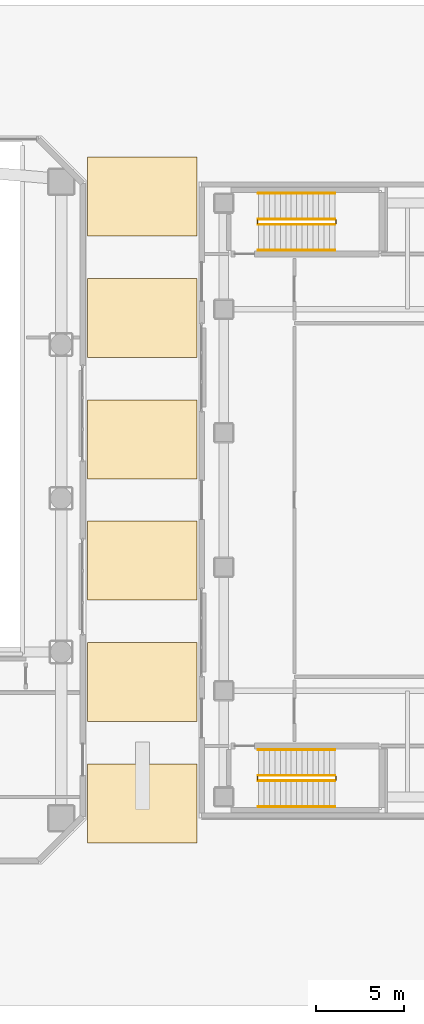
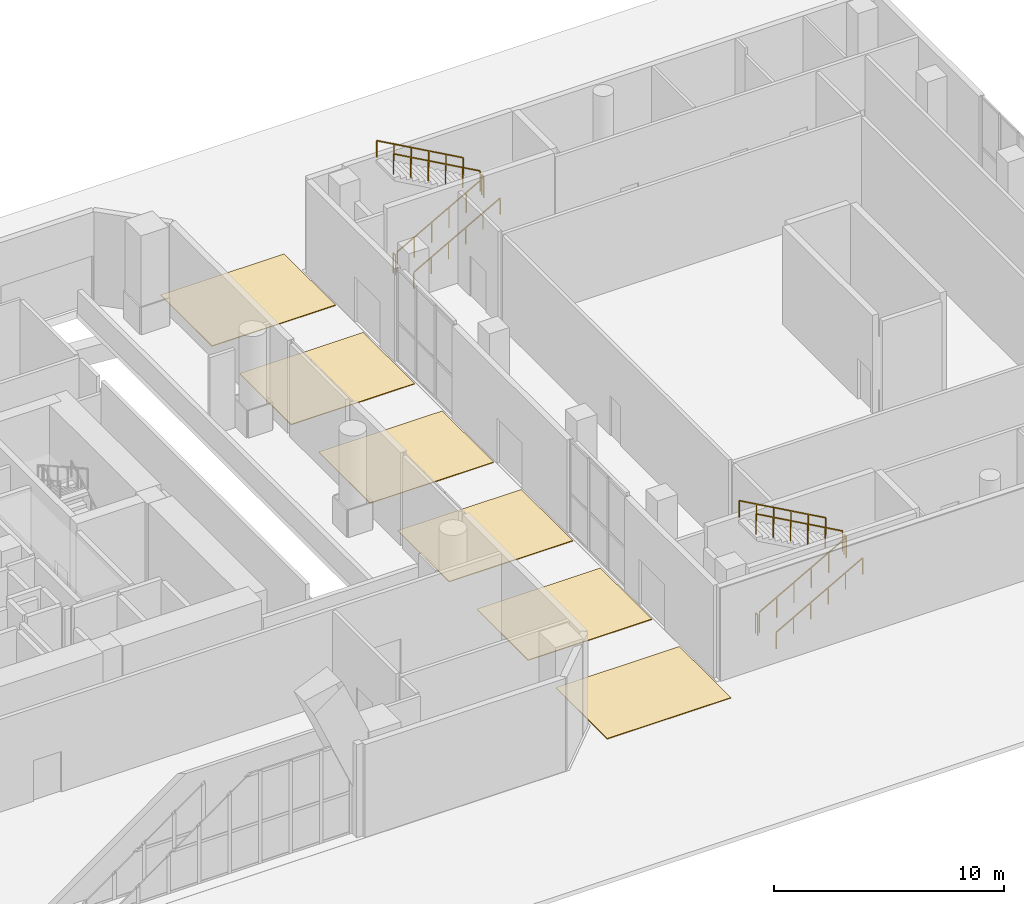
# One storey, part 28 of 30: 12 railings, 6 coverings.
"""IFC4 building model written with IfcOpenShell, lengths in metres."""

from ifc_helpers import new_model, si_unit, direction, frame, origin, origin_2d, place, context, subcontext, project, spatial, polyline, rectangle, outline, extrude, material, layer, layer_set, type_object, element, save


model = new_model("IFC4")

# Units and contexts
model_context = context("Model", 3, precision=1e-05, world=origin(), true_north=direction((0.0, 1.0)))
body_context = subcontext(model_context, "Body", "Model", "MODEL_VIEW")
ifc_project = project(units=[si_unit("LENGTHUNIT", "METRE"), si_unit("AREAUNIT", "SQUARE_METRE"), si_unit("VOLUMEUNIT", "CUBIC_METRE"), si_unit("PLANEANGLEUNIT", "RADIAN"), si_unit("MASSUNIT", "GRAM", prefix="KILO")], contexts=[model_context])

# Site, building, storey
site_placement = place(None, origin())
site = spatial("IfcSite", under=ifc_project, at=site_placement, CompositionType="ELEMENT")
building_placement = place(site_placement, origin())
building = spatial("IfcBuilding", under=site, at=building_placement, Name="Solanera Arch Residences", CompositionType="ELEMENT")
storey_placement = place(building_placement, origin())
storey = spatial("IfcBuildingStorey", under=building, at=storey_placement, Name="L00", CompositionType="ELEMENT", Elevation=0.0)

# Coverings
ifc_material_1 = material(Name="Concrete C40/50 (f'c = 45 MPa)", Category="concrete")
ifc_layer = layer(ifc_material_1, 0.0400390625)
ifc_layer_set = layer_set([ifc_layer], Name="Concrete C40/50 (f'c = 45 MPa)")
covering_type = type_object("IfcCoveringType", Name="Outdoor Paseo Stone Paving PAV-150", PredefinedType="FLOORING", material=ifc_layer_set)
covering_1_placement = place(storey_placement, origin())
element("IfcCovering", 1, at=covering_1_placement, inside=storey, type_object=covering_type, Name="Ground Paseo Landscaped Stone Paving Bay 1", PredefinedType="FLOORING", context=body_context, shape_type="SweptSolid", body=[
    extrude(outline(polyline([(48.10009765625, 11.199951171875), (54.300048828125, 11.199951171875), (54.300048828125, 15.6669921875), (48.10009765625, 15.6669921875), (48.10009765625, 11.199951171875)])), origin(), (0.0, 0.0, 1.0), 0.0400390625),
])
covering_2_placement = place(storey_placement, origin())
element("IfcCovering", 2, at=covering_2_placement, inside=storey, type_object=covering_type, Name="Ground Paseo Landscaped Stone Paving Bay 2", PredefinedType="FLOORING", context=body_context, shape_type="SweptSolid", body=[
    extrude(outline(polyline([(48.10009765625, 18.06689453125), (54.300048828125, 18.06689453125), (54.300048828125, 22.532958984375), (48.10009765625, 22.532958984375), (48.10009765625, 18.06689453125)])), origin(), (0.0, 0.0, 1.0), 0.0400390625),
])
covering_3_placement = place(storey_placement, origin())
element("IfcCovering", 3, at=covering_3_placement, inside=storey, type_object=covering_type, Name="Ground Paseo Landscaped Stone Paving Bay 3", PredefinedType="FLOORING", context=body_context, shape_type="SweptSolid", body=[
    extrude(outline(polyline([(48.10009765625, 24.93310546875), (54.300048828125, 24.93310546875), (54.300048828125, 29.39990234375), (48.10009765625, 29.39990234375), (48.10009765625, 24.93310546875)])), origin(), (0.0, 0.0, 1.0), 0.0400390625),
])
covering_4_placement = place(storey_placement, origin())
element("IfcCovering", 4, at=covering_4_placement, inside=storey, type_object=covering_type, Name="Ground Paseo Landscaped Stone Paving Bay 4", PredefinedType="FLOORING", context=body_context, shape_type="SweptSolid", body=[
    extrude(outline(polyline([(48.10009765625, 31.800048828125), (54.300048828125, 31.800048828125), (54.300048828125, 36.26708984375), (48.10009765625, 36.26708984375), (48.10009765625, 31.800048828125)])), origin(), (0.0, 0.0, 1.0), 0.0400390625),
])
covering_5_placement = place(storey_placement, origin())
element("IfcCovering", 5, at=covering_5_placement, inside=storey, type_object=covering_type, Name="Ground Paseo Landscaped Stone Paving Bay 5", PredefinedType="FLOORING", context=body_context, shape_type="SweptSolid", body=[
    extrude(outline(polyline([(48.10009765625, 38.6669921875), (54.300048828125, 38.6669921875), (54.300048828125, 43.133056640625), (48.10009765625, 43.133056640625), (48.10009765625, 38.6669921875)])), origin(), (0.0, 0.0, 1.0), 0.0400390625),
])
covering_6_placement = place(storey_placement, origin())
element("IfcCovering", 6, at=covering_6_placement, inside=storey, type_object=covering_type, Name="Ground Paseo Landscaped Stone Paving Bay 6", PredefinedType="FLOORING", context=body_context, shape_type="SweptSolid", body=[
    extrude(outline(polyline([(48.10009765625, 45.532958984375), (54.300048828125, 45.532958984375), (54.300048828125, 50.0), (48.10009765625, 50.0), (48.10009765625, 45.532958984375)])), origin(), (0.0, 0.0, 1.0), 0.0400390625),
])

# Railings
ifc_material_2 = material(Name="Steel S355 (ASTM A992 / A572 Grade 50)", Category="steel")
railing_type_1 = type_object("IfcRailingType", Name="Stair Guardrail GR-1100", PredefinedType="GUARDRAIL", material=ifc_material_2)
railing_1_placement = place(storey_placement, frame((57.760009765625, 14.7099609375, 0.158203125)))
element("IfcRailing", 7, at=railing_1_placement, inside=storey, type_object=railing_type_1, Name="L00 ST-H1 stair guard 1", PredefinedType="GUARDRAIL", context=body_context, shape_type="SweptSolid", body=[
    extrude(rectangle(XDim=0.048095703125, YDim=0.048095703125, at=origin_2d()), frame((0.0, 0.0, 1.076171875), z_axis=(0.872822311302, 0.0, 0.488038126475), x_axis=(0.0, 1.0, 0.0)), (0.0, 0.0, 1.0), 4.972412109375),
    extrude(rectangle(XDim=0.0419921875, YDim=0.0419921875, at=origin_2d()), origin(), (0.0, 0.0, 1.0), 1.052001953125),
    extrude(rectangle(XDim=0.0419921875, YDim=0.0419921875, at=origin_2d()), frame((0.867919921875, 0.0, 0.4853515625)), (0.0, 0.0, 1.0), 1.052001953125),
    extrude(rectangle(XDim=0.0419921875, YDim=0.0419921875, at=origin_2d()), frame((1.736083984375, 0.0, 0.970703125)), (0.0, 0.0, 1.0), 1.052001953125),
    extrude(rectangle(XDim=0.0419921875, YDim=0.0419921875, at=origin_2d()), frame((2.60400390625, 0.0, 1.4560546875)), (0.0, 0.0, 1.0), 1.052001953125),
    extrude(rectangle(XDim=0.0419921875, YDim=0.0419921875, at=origin_2d()), frame((3.47216796875, 0.0, 1.94140625)), (0.0, 0.0, 1.0), 1.052001953125),
    extrude(rectangle(XDim=0.0419921875, YDim=0.0419921875, at=origin_2d()), frame((4.340087890625, 0.0, 2.4267578125)), (0.0, 0.0, 1.0), 1.052001953125),
])
railing_2_placement = place(storey_placement, frame((62.14990234375, 14.760009765625, 2.5849609375)))
element("IfcRailing", 8, at=railing_2_placement, inside=storey, type_object=railing_type_1, Name="L00 ST-H1 stair guard 2", PredefinedType="GUARDRAIL", context=body_context, shape_type="SweptSolid", body=[
    extrude(rectangle(XDim=0.048095703125, YDim=0.048095703125, at=origin_2d()), frame((0.0, 0.0, 1.076171875), z_axis=(0.0, 1.0, 0.0), x_axis=(-1.0, 0.0, 0.0)), (0.0, 0.0, 1.0), 0.199951171875),
    extrude(rectangle(XDim=0.0419921875, YDim=0.0419921875, at=origin_2d()), origin(), (0.0, 0.0, 1.0), 1.052001953125),
    extrude(rectangle(XDim=0.0419921875, YDim=0.0419921875, at=origin_2d()), frame((0.0, 0.199951171875, 0.0)), (0.0, 0.0, 1.0), 1.052001953125),
])
railing_3_placement = place(storey_placement, frame((62.10009765625, 15.010009765625, 2.75830078125)))
element("IfcRailing", 9, at=railing_3_placement, inside=storey, type_object=railing_type_1, Name="L00 ST-H1 stair guard 3", PredefinedType="GUARDRAIL", context=body_context, shape_type="SweptSolid", body=[
    extrude(rectangle(XDim=0.048095703125, YDim=0.048095703125, at=origin_2d()), frame((0.0, 0.0, 1.076171875), z_axis=(-0.872822311302, 0.0, 0.488038126475), x_axis=(0.0, -1.0, 0.0)), (0.0, 0.0, 1.0), 4.972412109375),
    extrude(rectangle(XDim=0.0419921875, YDim=0.0419921875, at=origin_2d()), origin(), (0.0, 0.0, 1.0), 1.052001953125),
    extrude(rectangle(XDim=0.0419921875, YDim=0.0419921875, at=origin_2d()), frame((-0.867919921875, 0.0, 0.4853515625)), (0.0, 0.0, 1.0), 1.052001953125),
    extrude(rectangle(XDim=0.0419921875, YDim=0.0419921875, at=origin_2d()), frame((-1.736083984375, 0.0, 0.970703125)), (0.0, 0.0, 1.0), 1.052001953125),
    extrude(rectangle(XDim=0.0419921875, YDim=0.0419921875, at=origin_2d()), frame((-2.60400390625, 0.0, 1.4560546875)), (0.0, 0.0, 1.0), 1.052001953125),
    extrude(rectangle(XDim=0.0419921875, YDim=0.0419921875, at=origin_2d()), frame((-3.47216796875, 0.0, 1.94140625)), (0.0, 0.0, 1.0), 1.052001953125),
    extrude(rectangle(XDim=0.0419921875, YDim=0.0419921875, at=origin_2d()), frame((-4.340087890625, 0.0, 2.4267578125)), (0.0, 0.0, 1.0), 1.052001953125),
])
railing_4_placement = place(storey_placement, frame((57.7099609375, 14.760009765625, -0.014892578125)))
element("IfcRailing", 10, at=railing_4_placement, inside=storey, type_object=railing_type_1, Name="L00 ST-H1 stair guard 4", PredefinedType="GUARDRAIL", context=body_context, shape_type="SweptSolid", body=[
    extrude(rectangle(XDim=0.048095703125, YDim=0.048095703125, at=origin_2d()), frame((0.0, 0.0, 1.076171875), z_axis=(0.0, 1.0, 0.0), x_axis=(-1.0, 0.0, 0.0)), (0.0, 0.0, 1.0), 0.199951171875),
    extrude(rectangle(XDim=0.0419921875, YDim=0.0419921875, at=origin_2d()), origin(), (0.0, 0.0, 1.0), 1.052001953125),
    extrude(rectangle(XDim=0.0419921875, YDim=0.0419921875, at=origin_2d()), frame((0.0, 0.199951171875, 0.0)), (0.0, 0.0, 1.0), 1.052001953125),
])
railing_5_placement = place(storey_placement, frame((57.760009765625, 46.18994140625, 0.158203125)))
element("IfcRailing", 11, at=railing_5_placement, inside=storey, type_object=railing_type_1, Name="L00 ST-H2 stair guard 1", PredefinedType="GUARDRAIL", context=body_context, shape_type="SweptSolid", body=[
    extrude(rectangle(XDim=0.048095703125, YDim=0.048095703125, at=origin_2d()), frame((0.0, 0.0, 1.076171875), z_axis=(0.872822311302, 0.0, 0.488038126475), x_axis=(0.0, 1.0, 0.0)), (0.0, 0.0, 1.0), 4.972412109375),
    extrude(rectangle(XDim=0.0419921875, YDim=0.0419921875, at=origin_2d()), origin(), (0.0, 0.0, 1.0), 1.052001953125),
    extrude(rectangle(XDim=0.0419921875, YDim=0.0419921875, at=origin_2d()), frame((0.867919921875, 0.0, 0.4853515625)), (0.0, 0.0, 1.0), 1.052001953125),
    extrude(rectangle(XDim=0.0419921875, YDim=0.0419921875, at=origin_2d()), frame((1.736083984375, 0.0, 0.970703125)), (0.0, 0.0, 1.0), 1.052001953125),
    extrude(rectangle(XDim=0.0419921875, YDim=0.0419921875, at=origin_2d()), frame((2.60400390625, 0.0, 1.4560546875)), (0.0, 0.0, 1.0), 1.052001953125),
    extrude(rectangle(XDim=0.0419921875, YDim=0.0419921875, at=origin_2d()), frame((3.47216796875, 0.0, 1.94140625)), (0.0, 0.0, 1.0), 1.052001953125),
    extrude(rectangle(XDim=0.0419921875, YDim=0.0419921875, at=origin_2d()), frame((4.340087890625, 0.0, 2.4267578125)), (0.0, 0.0, 1.0), 1.052001953125),
])
railing_6_placement = place(storey_placement, frame((62.14990234375, 46.239990234375, 2.5849609375)))
element("IfcRailing", 12, at=railing_6_placement, inside=storey, type_object=railing_type_1, Name="L00 ST-H2 stair guard 2", PredefinedType="GUARDRAIL", context=body_context, shape_type="SweptSolid", body=[
    extrude(rectangle(XDim=0.048095703125, YDim=0.048095703125, at=origin_2d()), frame((0.0, 0.0, 1.076171875), z_axis=(0.0, 1.0, 0.0), x_axis=(-1.0, 0.0, 0.0)), (0.0, 0.0, 1.0), 0.199951171875),
    extrude(rectangle(XDim=0.0419921875, YDim=0.0419921875, at=origin_2d()), origin(), (0.0, 0.0, 1.0), 1.052001953125),
    extrude(rectangle(XDim=0.0419921875, YDim=0.0419921875, at=origin_2d()), frame((0.0, 0.199951171875, 0.0)), (0.0, 0.0, 1.0), 1.052001953125),
])
railing_7_placement = place(storey_placement, frame((62.10009765625, 46.489990234375, 2.75830078125)))
element("IfcRailing", 13, at=railing_7_placement, inside=storey, type_object=railing_type_1, Name="L00 ST-H2 stair guard 3", PredefinedType="GUARDRAIL", context=body_context, shape_type="SweptSolid", body=[
    extrude(rectangle(XDim=0.048095703125, YDim=0.048095703125, at=origin_2d()), frame((0.0, 0.0, 1.076171875), z_axis=(-0.872822311302, 0.0, 0.488038126475), x_axis=(0.0, -1.0, 0.0)), (0.0, 0.0, 1.0), 4.972412109375),
    extrude(rectangle(XDim=0.0419921875, YDim=0.0419921875, at=origin_2d()), origin(), (0.0, 0.0, 1.0), 1.052001953125),
    extrude(rectangle(XDim=0.0419921875, YDim=0.0419921875, at=origin_2d()), frame((-0.867919921875, 0.0, 0.4853515625)), (0.0, 0.0, 1.0), 1.052001953125),
    extrude(rectangle(XDim=0.0419921875, YDim=0.0419921875, at=origin_2d()), frame((-1.736083984375, 0.0, 0.970703125)), (0.0, 0.0, 1.0), 1.052001953125),
    extrude(rectangle(XDim=0.0419921875, YDim=0.0419921875, at=origin_2d()), frame((-2.60400390625, 0.0, 1.4560546875)), (0.0, 0.0, 1.0), 1.052001953125),
    extrude(rectangle(XDim=0.0419921875, YDim=0.0419921875, at=origin_2d()), frame((-3.47216796875, 0.0, 1.94140625)), (0.0, 0.0, 1.0), 1.052001953125),
    extrude(rectangle(XDim=0.0419921875, YDim=0.0419921875, at=origin_2d()), frame((-4.340087890625, 0.0, 2.4267578125)), (0.0, 0.0, 1.0), 1.052001953125),
])
railing_8_placement = place(storey_placement, frame((57.7099609375, 46.239990234375, -0.014892578125)))
element("IfcRailing", 14, at=railing_8_placement, inside=storey, type_object=railing_type_1, Name="L00 ST-H2 stair guard 4", PredefinedType="GUARDRAIL", context=body_context, shape_type="SweptSolid", body=[
    extrude(rectangle(XDim=0.048095703125, YDim=0.048095703125, at=origin_2d()), frame((0.0, 0.0, 1.076171875), z_axis=(0.0, 1.0, 0.0), x_axis=(-1.0, 0.0, 0.0)), (0.0, 0.0, 1.0), 0.199951171875),
    extrude(rectangle(XDim=0.0419921875, YDim=0.0419921875, at=origin_2d()), origin(), (0.0, 0.0, 1.0), 1.052001953125),
    extrude(rectangle(XDim=0.0419921875, YDim=0.0419921875, at=origin_2d()), frame((0.0, 0.199951171875, 0.0)), (0.0, 0.0, 1.0), 1.052001953125),
])
ifc_material_3 = material(Name="Steel S355 (ASTM A992 / A572 Grade 50)", Category="steel")
railing_type_2 = type_object("IfcRailingType", Name="Stair Wall Handrail HR-920", PredefinedType="HANDRAIL", material=ifc_material_3)
railing_9_placement = place(storey_placement, frame((57.760009765625, 13.25, 0.17333984375)))
element("IfcRailing", 15, at=railing_9_placement, inside=storey, type_object=railing_type_2, Name="L00 ST-H1 stair handrail 1", PredefinedType="HANDRAIL", context=body_context, shape_type="SweptSolid", body=[
    extrude(rectangle(XDim=0.048095703125, YDim=0.048095703125, at=origin_2d()), frame((0.0, 0.0, 0.8759765625), z_axis=(0.872822311302, 0.0, 0.488038126475), x_axis=(0.0, 1.0, 0.0)), (0.0, 0.0, 1.0), 4.972412109375),
    extrude(rectangle(XDim=0.0419921875, YDim=0.0419921875, at=origin_2d()), origin(), (0.0, 0.0, 1.0), 0.851806640625),
    extrude(rectangle(XDim=0.0419921875, YDim=0.0419921875, at=origin_2d()), frame((0.867919921875, 0.0, 0.4853515625)), (0.0, 0.0, 1.0), 0.851806640625),
    extrude(rectangle(XDim=0.0419921875, YDim=0.0419921875, at=origin_2d()), frame((1.736083984375, 0.0, 0.970703125)), (0.0, 0.0, 1.0), 0.851806640625),
    extrude(rectangle(XDim=0.0419921875, YDim=0.0419921875, at=origin_2d()), frame((2.60400390625, 0.0, 1.4560546875)), (0.0, 0.0, 1.0), 0.851806640625),
    extrude(rectangle(XDim=0.0419921875, YDim=0.0419921875, at=origin_2d()), frame((3.47216796875, 0.0, 1.94140625)), (0.0, 0.0, 1.0), 0.851806640625),
    extrude(rectangle(XDim=0.0419921875, YDim=0.0419921875, at=origin_2d()), frame((4.340087890625, 0.0, 2.4267578125)), (0.0, 0.0, 1.0), 0.851806640625),
])
railing_10_placement = place(storey_placement, frame((62.10009765625, 16.469970703125, 2.7734375)))
element("IfcRailing", 16, at=railing_10_placement, inside=storey, type_object=railing_type_2, Name="L00 ST-H1 stair handrail 2", PredefinedType="HANDRAIL", context=body_context, shape_type="SweptSolid", body=[
    extrude(rectangle(XDim=0.048095703125, YDim=0.048095703125, at=origin_2d()), frame((0.0, 0.0, 0.8759765625), z_axis=(-0.872843225476, 0.0, 0.488000721045), x_axis=(0.0, -1.0, 0.0)), (0.0, 0.0, 1.0), 4.972412109375),
    extrude(rectangle(XDim=0.0419921875, YDim=0.0419921875, at=origin_2d()), origin(), (0.0, 0.0, 1.0), 0.851806640625),
    extrude(rectangle(XDim=0.0419921875, YDim=0.0419921875, at=origin_2d()), frame((-0.867919921875, 0.0, 0.4853515625)), (0.0, 0.0, 1.0), 0.851806640625),
    extrude(rectangle(XDim=0.0419921875, YDim=0.0419921875, at=origin_2d()), frame((-1.736083984375, 0.0, 0.970703125)), (0.0, 0.0, 1.0), 0.851806640625),
    extrude(rectangle(XDim=0.0419921875, YDim=0.0419921875, at=origin_2d()), frame((-2.60400390625, 0.0, 1.455810546875)), (0.0, 0.0, 1.0), 0.851806640625),
    extrude(rectangle(XDim=0.0419921875, YDim=0.0419921875, at=origin_2d()), frame((-3.47216796875, 0.0, 1.941162109375)), (0.0, 0.0, 1.0), 0.851806640625),
    extrude(rectangle(XDim=0.0419921875, YDim=0.0419921875, at=origin_2d()), frame((-4.340087890625, 0.0, 2.426513671875)), (0.0, 0.0, 1.0), 0.851806640625),
])
railing_11_placement = place(storey_placement, frame((57.760009765625, 44.72998046875, 0.17333984375)))
element("IfcRailing", 17, at=railing_11_placement, inside=storey, type_object=railing_type_2, Name="L00 ST-H2 stair handrail 1", PredefinedType="HANDRAIL", context=body_context, shape_type="SweptSolid", body=[
    extrude(rectangle(XDim=0.048095703125, YDim=0.048095703125, at=origin_2d()), frame((0.0, 0.0, 0.8759765625), z_axis=(0.872822311302, 0.0, 0.488038126475), x_axis=(0.0, 1.0, 0.0)), (0.0, 0.0, 1.0), 4.972412109375),
    extrude(rectangle(XDim=0.0419921875, YDim=0.0419921875, at=origin_2d()), origin(), (0.0, 0.0, 1.0), 0.851806640625),
    extrude(rectangle(XDim=0.0419921875, YDim=0.0419921875, at=origin_2d()), frame((0.867919921875, 0.0, 0.4853515625)), (0.0, 0.0, 1.0), 0.851806640625),
    extrude(rectangle(XDim=0.0419921875, YDim=0.0419921875, at=origin_2d()), frame((1.736083984375, 0.0, 0.970703125)), (0.0, 0.0, 1.0), 0.851806640625),
    extrude(rectangle(XDim=0.0419921875, YDim=0.0419921875, at=origin_2d()), frame((2.60400390625, 0.0, 1.4560546875)), (0.0, 0.0, 1.0), 0.851806640625),
    extrude(rectangle(XDim=0.0419921875, YDim=0.0419921875, at=origin_2d()), frame((3.47216796875, 0.0, 1.94140625)), (0.0, 0.0, 1.0), 0.851806640625),
    extrude(rectangle(XDim=0.0419921875, YDim=0.0419921875, at=origin_2d()), frame((4.340087890625, 0.0, 2.4267578125)), (0.0, 0.0, 1.0), 0.851806640625),
])
railing_12_placement = place(storey_placement, frame((62.10009765625, 47.949951171875, 2.7734375)))
element("IfcRailing", 18, at=railing_12_placement, inside=storey, type_object=railing_type_2, Name="L00 ST-H2 stair handrail 2", PredefinedType="HANDRAIL", context=body_context, shape_type="SweptSolid", body=[
    extrude(rectangle(XDim=0.048095703125, YDim=0.048095703125, at=origin_2d()), frame((0.0, 0.0, 0.8759765625), z_axis=(-0.872843225476, 0.0, 0.488000721045), x_axis=(0.0, -1.0, 0.0)), (0.0, 0.0, 1.0), 4.972412109375),
    extrude(rectangle(XDim=0.0419921875, YDim=0.0419921875, at=origin_2d()), origin(), (0.0, 0.0, 1.0), 0.851806640625),
    extrude(rectangle(XDim=0.0419921875, YDim=0.0419921875, at=origin_2d()), frame((-0.867919921875, 0.0, 0.4853515625)), (0.0, 0.0, 1.0), 0.851806640625),
    extrude(rectangle(XDim=0.0419921875, YDim=0.0419921875, at=origin_2d()), frame((-1.736083984375, 0.0, 0.970703125)), (0.0, 0.0, 1.0), 0.851806640625),
    extrude(rectangle(XDim=0.0419921875, YDim=0.0419921875, at=origin_2d()), frame((-2.60400390625, 0.0, 1.455810546875)), (0.0, 0.0, 1.0), 0.851806640625),
    extrude(rectangle(XDim=0.0419921875, YDim=0.0419921875, at=origin_2d()), frame((-3.47216796875, 0.0, 1.941162109375)), (0.0, 0.0, 1.0), 0.851806640625),
    extrude(rectangle(XDim=0.0419921875, YDim=0.0419921875, at=origin_2d()), frame((-4.340087890625, 0.0, 2.426513671875)), (0.0, 0.0, 1.0), 0.851806640625),
])

save(model, "model.ifc")
